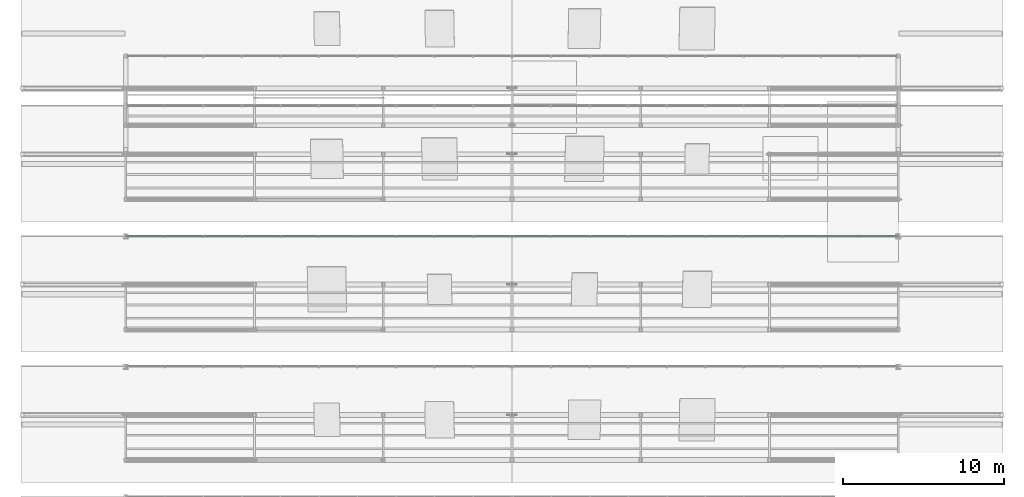
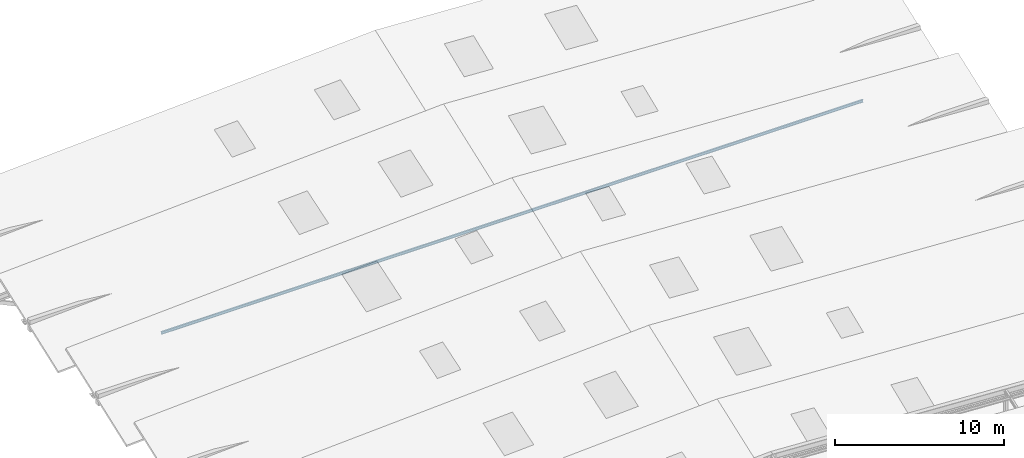
# One storey, part 85 of 141: 1 member.
"""IFC4 building model written with IfcOpenShell, lengths in metres."""

from ifc_helpers import new_model, si_unit, direction, frame, origin, origin_2d, place, context, subcontext, project, spatial, i_section, extrude, material, material_profile, profile_set, type_object, element, save


model = new_model("IFC4")

# Units and contexts
model_context = context("Model", 3, precision=1e-05, world=origin(), true_north=direction((0.0, 1.0)))
body_context = subcontext(model_context, "Body", "Model", "MODEL_VIEW")
ifc_project = project(units=[si_unit("LENGTHUNIT", "METRE"), si_unit("AREAUNIT", "SQUARE_METRE"), si_unit("VOLUMEUNIT", "CUBIC_METRE"), si_unit("PLANEANGLEUNIT", "RADIAN"), si_unit("MASSUNIT", "GRAM", prefix="KILO")], contexts=[model_context])

# Site, building, storey
site_placement = place(None, origin())
site = spatial("IfcSite", under=ifc_project, at=site_placement, CompositionType="ELEMENT")
building_placement = place(site_placement, origin())
building = spatial("IfcBuilding", under=site, at=building_placement, Name="Sundkrona Museum", CompositionType="ELEMENT")
storey_placement = place(building_placement, frame((0.0, 0.0, 34.0)))
storey = spatial("IfcBuildingStorey", under=building, at=storey_placement, Name="RF", CompositionType="ELEMENT", Elevation=34.0)

# Member
ifc_material = material(Name="Steel S355J2", Category="steel")
ifc_material_profile = material_profile(ifc_material, i_section(OverallWidth=0.10009765625, OverallDepth=0.199951171875, WebThickness=0.005615234375, FlangeThickness=0.008544921875, FilletRadius=0.011962890625, at=origin_2d()), Name="IPE 200")
ifc_profile_set = profile_set([ifc_material_profile], Name="Steel S355J2")
member_type = type_object("IfcMemberType", Name="PR-IPE200", PredefinedType="PURLIN", material=ifc_profile_set)
member_placement = place(storey_placement, frame((120.0, 34.60009765625, 3.802978515625), z_axis=(1.0, 0.0, 0.0), x_axis=(0.0, 1.0, 0.0)))
element("IfcMember", 1, at=member_placement, inside=storey, type_object=member_type, Name="RFS-1 Sawtooth Bay 5 Clerestory Sill Beam", PredefinedType="PURLIN", context=body_context, shape_type="SweptSolid", body=[
    extrude(i_section(OverallWidth=0.10009765625, OverallDepth=0.199951171875, WebThickness=0.005615234375, FlangeThickness=0.008544921875, FilletRadius=0.011962890625, at=origin_2d()), origin(), (0.0, 0.0, 1.0), 48.0),
])

save(model, "model.ifc")
